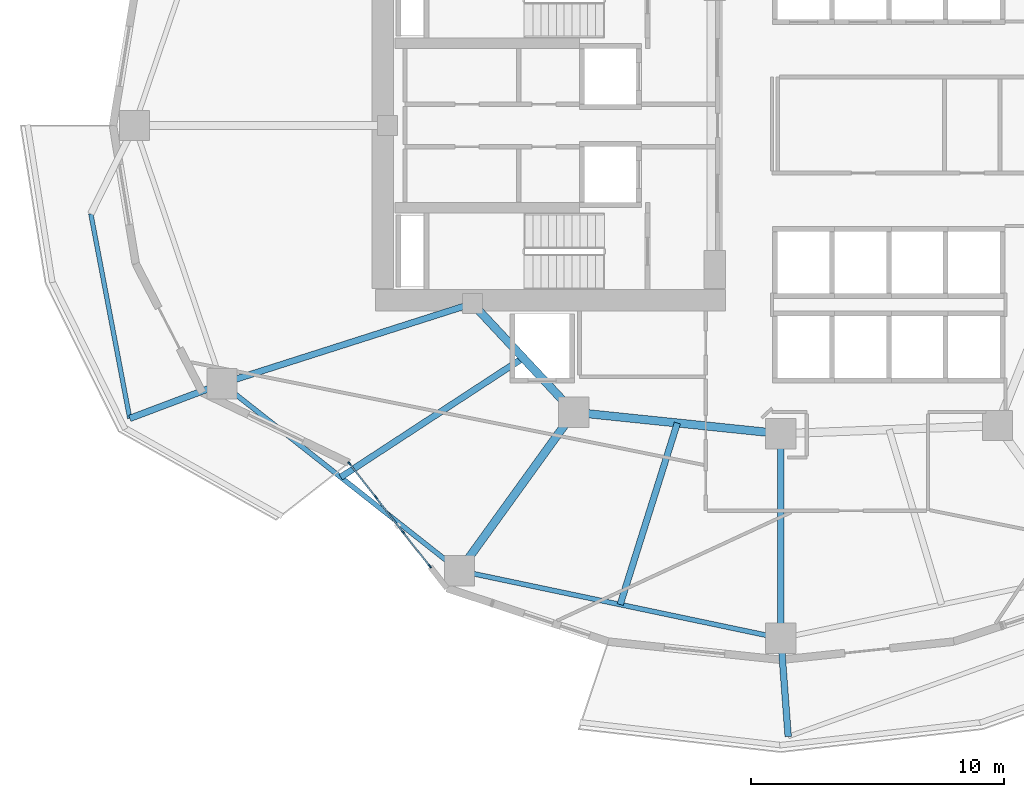
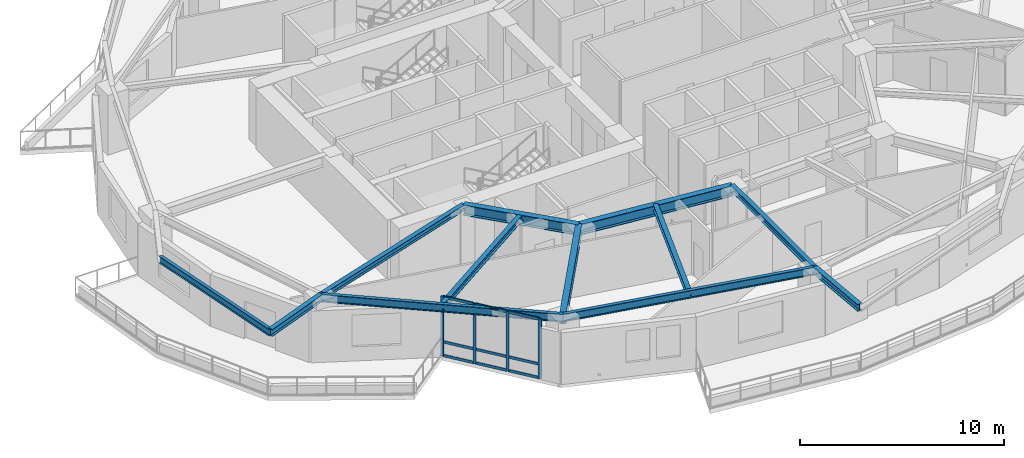
# One storey, part 2 of 18: 13 members, 12 beams, 1 element without a shape of its own.
"""IFC4 building model written with IfcOpenShell, lengths in metres."""

import ifcopenshell
import ifcopenshell.guid

model = None  # the IFC model being written
_history = None  # IfcOwnerHistory: only IFC2X3 demands one
_inside = {}  # id of a spatial element -> (the spatial element, [elements in it])
_under = {}  # id of a project, library or spatial element -> (it, [spatial elements below it])
_declared = {}  # id of a project -> (the project, [libraries it declares])
_typed = {}  # id of a type object -> (the type object, [elements of that type])
_made_of = {}  # id of a material, layer set ... -> (it, [elements and type objects made of it])


def new_model(schema):
    """Start an empty IFC model of exactly this schema.

    Asked for "IFC4X3", IfcOpenShell would pick the latest addendum, in which some entities
    have other attributes; the version numbers below select the first issue.
    IFC2X3 requires an IfcOwnerHistory on every rooted entity: one is made here for all.
    """
    global model, _history
    if schema == "IFC4X3":
        model = ifcopenshell.file(schema_version=(4, 3, 0, 0))
    else:
        model = ifcopenshell.file(schema=schema)
    _inside.clear()
    _under.clear()
    _declared.clear()
    _typed.clear()
    _made_of.clear()
    _history = None
    if model.schema == "IFC2X3":
        org = make("IfcOrganization", Name="unknown")
        user = make(
            "IfcPersonAndOrganization",
            ThePerson=make("IfcPerson", FamilyName="unknown"),
            TheOrganization=org,
        )
        app = make(
            "IfcApplication",
            ApplicationDeveloper=org,
            Version="unknown",
            ApplicationFullName="unknown",
            ApplicationIdentifier="unknown",
        )
        _history = make(
            "IfcOwnerHistory",
            OwningUser=user,
            OwningApplication=app,
            ChangeAction="ADDED",
            CreationDate=0,
        )
    return model


def make(cls, **values):
    """One entity of the class cls with the attributes given. An attribute that is None is left unset."""
    return model.create_entity(
        cls, **{name: value for name, value in values.items() if value is not None}
    )


def rooted(cls, **values):
    """An entity with a GlobalId (a new one), such as an element, a storey or a relation."""
    return make(cls, GlobalId=ifcopenshell.guid.new(), OwnerHistory=_history, **values)


def si_unit(unit_type, name, prefix=None):
    """IfcSIUnit, for example si_unit("LENGTHUNIT", "METRE", prefix="MILLI")."""
    return make("IfcSIUnit", UnitType=unit_type, Prefix=prefix, Name=name)


def assignment(units):
    """IfcUnitAssignment: the units of a project."""
    return None if units is None else make("IfcUnitAssignment", Units=units)


def point(xyz):
    """IfcCartesianPoint."""
    return None if xyz is None else make("IfcCartesianPoint", Coordinates=xyz)


def direction(xyz):
    """IfcDirection."""
    return None if xyz is None else make("IfcDirection", DirectionRatios=xyz)


def frame(location, z_axis=None, x_axis=None):
    """IfcAxis2Placement3D, a coordinate frame: its origin and axes. An axis left out is left unset."""
    return make(
        "IfcAxis2Placement3D",
        Location=point(location),
        Axis=direction(z_axis),
        RefDirection=direction(x_axis),
    )


def frame_2d(location, x_axis=None):
    """IfcAxis2Placement2D, a coordinate frame in the plane: its origin and x axis."""
    return make(
        "IfcAxis2Placement2D", Location=point(location), RefDirection=direction(x_axis)
    )


def origin():
    """The frame at (0, 0, 0) with its axes left unset."""
    return frame((0.0, 0.0, 0.0))


def origin_2d():
    """The frame at (0, 0) in the plane with its x axis left unset."""
    return frame_2d((0.0, 0.0))


def place(relative_to, where):
    """IfcLocalPlacement: puts the frame where relative to a parent placement (None: the world)."""
    return make(
        "IfcLocalPlacement", PlacementRelTo=relative_to, RelativePlacement=where
    )


def context(
    kind, dimensions, precision=None, world=None, true_north=None, identifier=None
):
    """IfcGeometricRepresentationContext, for example the 3D "Model" context."""
    return make(
        "IfcGeometricRepresentationContext",
        ContextIdentifier=identifier,
        ContextType=kind,
        CoordinateSpaceDimension=dimensions,
        Precision=precision,
        WorldCoordinateSystem=world,
        TrueNorth=true_north,
    )


def subcontext(parent, identifier, kind, view, scale=None):
    """IfcGeometricRepresentationSubContext, for example "Body" below "Model"."""
    return make(
        "IfcGeometricRepresentationSubContext",
        ContextIdentifier=identifier,
        ContextType=kind,
        ParentContext=parent,
        TargetScale=scale,
        TargetView=view,
    )


def project(units=None, contexts=None):
    """IfcProject with its units and contexts."""
    return rooted(
        "IfcProject",
        Name="project",
        RepresentationContexts=contexts,
        UnitsInContext=assignment(units),
    )


def spatial(cls, under=None, at=None, **own):
    """A site, building, storey or space (cls), placed at a placement, below another one or the project."""
    s = rooted(cls, ObjectPlacement=at, **own)
    if under is not None:
        _under.setdefault(under.id(), (under, []))[1].append(s)
    return s


def profile(cls, at=None, kind="AREA", **sizes):
    """A parametric profile (cls). Its sizes go by their IFC names, for example OverallWidth=200.0."""
    return make(cls, ProfileType=kind, Position=at, **sizes)


def rectangle(**sizes):
    """IfcRectangleProfileDef."""
    return profile("IfcRectangleProfileDef", **sizes)


def i_section(**sizes):
    """IfcIShapeProfileDef."""
    return profile("IfcIShapeProfileDef", **sizes)


def extrude(swept, where, along, depth):
    """IfcExtrudedAreaSolid: the profile swept, set in the frame where, extruded along a direction by depth."""
    return make(
        "IfcExtrudedAreaSolid",
        SweptArea=swept,
        Position=where,
        ExtrudedDirection=direction(along),
        Depth=depth,
    )


def shape(context_of_items, identifier, shape_type, items):
    """IfcShapeRepresentation: the items that make up one representation, for example the "Body"."""
    return make(
        "IfcShapeRepresentation",
        ContextOfItems=context_of_items,
        RepresentationIdentifier=identifier,
        RepresentationType=shape_type,
        Items=items,
    )


def material(Name=None, Category=None):
    """IfcMaterial."""
    return make("IfcMaterial", Name=Name, Category=Category)


def layer(
    of_material, thickness, ventilated=None, Name=None, Category=None, Priority=None
):
    """IfcMaterialLayer: one layer of a wall or slab, of a material (None: an air gap)."""
    return make(
        "IfcMaterialLayer",
        Material=of_material,
        LayerThickness=thickness,
        IsVentilated=ventilated,
        Name=Name,
        Category=Category,
        Priority=Priority,
    )


def layer_set(layers, Name=None):
    """IfcMaterialLayerSet."""
    return make("IfcMaterialLayerSet", MaterialLayers=layers, LayerSetName=Name)


def material_profile(
    of_material, cross_section, Name=None, Category=None, Priority=None
):
    """IfcMaterialProfile: a cross section and its material."""
    return make(
        "IfcMaterialProfile",
        Name=Name,
        Material=of_material,
        Profile=cross_section,
        Priority=Priority,
        Category=Category,
    )


def profile_set(profiles, Name=None, composite=None):
    """IfcMaterialProfileSet."""
    return make(
        "IfcMaterialProfileSet",
        Name=Name,
        MaterialProfiles=profiles,
        CompositeProfile=composite,
    )


def made_of(thing, what):
    """Note that an element or type object is made of a material, layer set ...; save() writes the relation."""
    if what is not None:
        _made_of.setdefault(what.id(), (what, []))[1].append(thing)
    return thing


def type_object(cls, material=None, **own):
    """A type object (cls), such as IfcWallType, which elements share."""
    return made_of(rooted(cls, **own), material)


def element(
    cls,
    number,
    at=None,
    inside=None,
    cuts=None,
    type_object=None,
    material=None,
    context=None,
    identifier="Body",
    shape_type=None,
    held_by="IfcProductDefinitionShape",
    body=None,
    shapes=None,
    **own,
):
    """One element of the class cls, such as IfcWall. Its Tag is "e" and its number.

    at: its placement. inside: the storey or other place that contains it. cuts: it is an
    opening in that element (IfcRelVoidsElement). A single representation is given by context,
    identifier, shape_type and body (its items); several are given by shapes. held_by: the class
    of the entity that holds the representations. save() writes the other relations.
    """
    e = rooted(cls, Tag="e%d" % number, ObjectPlacement=at, **own)
    if body is not None:
        shapes = [shape(context, identifier, shape_type, body)]
    if shapes is not None:
        e.Representation = make(held_by, Representations=shapes)
    if inside is not None:
        _inside.setdefault(inside.id(), (inside, []))[1].append(e)
    if cuts is not None:
        rooted(
            "IfcRelVoidsElement", RelatingBuildingElement=cuts, RelatedOpeningElement=e
        )
    if type_object is not None:
        _typed.setdefault(type_object.id(), (type_object, []))[1].append(e)
    return made_of(e, material)


def aggregate(whole, parts):
    """IfcRelAggregates: a whole, such as a stair, and the parts it consists of."""
    return rooted("IfcRelAggregates", RelatingObject=whole, RelatedObjects=parts)


def save(model, path):
    """Write the relations noted so far, then the file.

    IfcRelAggregates (storeys below a building ...), IfcRelContainedInSpatialStructure (elements
    in a storey), IfcRelDefinesByType, IfcRelAssociatesMaterial and IfcRelDeclares: one each for
    every whole, place, type object, material and project.
    """
    for whole, parts in _under.values():
        aggregate(whole, parts)
    for where, things in _inside.values():
        rooted(
            "IfcRelContainedInSpatialStructure",
            RelatedElements=things,
            RelatingStructure=where,
        )
    for kind, things in _typed.values():
        rooted("IfcRelDefinesByType", RelatedObjects=things, RelatingType=kind)
    for what, things in _made_of.values():
        rooted("IfcRelAssociatesMaterial", RelatedObjects=things, RelatingMaterial=what)
    for by, libraries in _declared.values():
        rooted("IfcRelDeclares", RelatingContext=by, RelatedDefinitions=libraries)
    model.write(path)


model = new_model("IFC4")

# Units and contexts
model_context = context("Model", 3, precision=1e-05, world=origin(), true_north=direction((0.0, 1.0)))
body_context = subcontext(model_context, "Body", "Model", "MODEL_VIEW")
ifc_project = project(units=[si_unit("LENGTHUNIT", "METRE"), si_unit("AREAUNIT", "SQUARE_METRE"), si_unit("VOLUMEUNIT", "CUBIC_METRE"), si_unit("PLANEANGLEUNIT", "RADIAN"), si_unit("MASSUNIT", "GRAM", prefix="KILO")], contexts=[model_context])

# Site, building, storey
site_placement = place(None, origin())
site = spatial("IfcSite", under=ifc_project, at=site_placement, CompositionType="ELEMENT")
building_placement = place(site_placement, origin())
building = spatial("IfcBuilding", under=site, at=building_placement, Name="Kolvaren Gate Tower and Convention Centre", CompositionType="ELEMENT")
storey_placement = place(building_placement, frame((0.0, 0.0, 61.14990234375)))
storey = spatial("IfcBuildingStorey", under=building, at=storey_placement, Name="L14", CompositionType="ELEMENT", Elevation=61.14990234375)

# Curtain wall, members
ifc_material_1 = material(Name="Anodized Architectural Aluminium Alloy 6063-T6", Category="aluminium")
ifc_layer = layer(ifc_material_1, 0.159912109375)
ifc_layer_set = layer_set([ifc_layer], Name="Anodized Architectural Aluminium Alloy 6063-T6")
curtain_wall_type = type_object("IfcCurtainWallType", Name="CW-OFF-UNIT", PredefinedType="NOTDEFINED", material=ifc_layer_set)
curtain_wall_placement = place(storey_placement, origin())
curtain_wall = element("IfcCurtainWall", 1, at=curtain_wall_placement, inside=storey, type_object=curtain_wall_type, Name="Tower L14 Unitised Curtain Wall CW-OFF-UNIT Bay 15", PredefinedType="NOTDEFINED")
ifc_material_profile_1 = material_profile(ifc_material_1, rectangle(XDim=0.06494140625, YDim=0.159912109375, at=origin_2d()), Name="CW-MEM-MUL-160")
ifc_profile_set_1 = profile_set([ifc_material_profile_1], Name="Anodized Architectural Aluminium Alloy 6063-T6")
member_type_1 = type_object("IfcMemberType", Name="CW-MEM-MUL-160", PredefinedType="MULLION", material=ifc_profile_set_1)
member_1_placement = place(storey_placement, frame((13.046142578125, 13.6142578125, 0.0), z_axis=(0.0, 0.0, 1.0), x_axis=(0.787412382353, 0.616426589398, 0.0)))
member_1 = element("IfcMember", 2, at=member_1_placement, type_object=member_type_1, Name="CW-02 mullion 1", PredefinedType="MULLION", context=body_context, shape_type="SweptSolid", body=[
    extrude(rectangle(XDim=0.06494140625, YDim=0.159912109375, at=origin_2d()), origin(), (0.0, 0.0, 1.0), 3.570068359375),
])
member_2_placement = place(storey_placement, frame((14.098388671875, 12.270263671875, 0.0), z_axis=(0.0, 0.0, 1.0), x_axis=(0.787412382353, 0.616426589398, 0.0)))
member_2 = element("IfcMember", 3, at=member_2_placement, type_object=member_type_1, Name="CW-02 mullion 2", PredefinedType="MULLION", context=body_context, shape_type="SweptSolid", body=[
    extrude(rectangle(XDim=0.06494140625, YDim=0.159912109375, at=origin_2d()), origin(), (0.0, 0.0, 1.0), 3.570068359375),
])
member_3_placement = place(storey_placement, frame((15.17041015625, 10.90087890625, 0.0), z_axis=(0.0, 0.0, 1.0), x_axis=(0.787412382353, 0.616426589398, 0.0)))
member_3 = element("IfcMember", 4, at=member_3_placement, type_object=member_type_1, Name="CW-02 mullion 3", PredefinedType="MULLION", context=body_context, shape_type="SweptSolid", body=[
    extrude(rectangle(XDim=0.06494140625, YDim=0.159912109375, at=origin_2d()), origin(), (0.0, 0.0, 1.0), 3.570068359375),
])
member_4_placement = place(storey_placement, frame((16.22265625, 9.556884765625, 0.0), z_axis=(0.0, 0.0, 1.0), x_axis=(0.787412382353, 0.616426589398, 0.0)))
member_4 = element("IfcMember", 5, at=member_4_placement, type_object=member_type_1, Name="CW-02 mullion 4", PredefinedType="MULLION", context=body_context, shape_type="SweptSolid", body=[
    extrude(rectangle(XDim=0.06494140625, YDim=0.159912109375, at=origin_2d()), origin(), (0.0, 0.0, 1.0), 3.570068359375),
])
ifc_material_profile_2 = material_profile(ifc_material_1, rectangle(XDim=0.06494140625, YDim=0.159912109375, at=origin_2d()), Name="CW-MEM-TRN-160")
ifc_profile_set_2 = profile_set([ifc_material_profile_2], Name="Anodized Architectural Aluminium Alloy 6063-T6")
member_type_2 = type_object("IfcMemberType", Name="CW-MEM-TRN-160", PredefinedType="USERDEFINED", material=ifc_profile_set_2)
member_5_placement = place(storey_placement, frame((13.066162109375, 13.588623046875, 0.03271484375), z_axis=(0.616408501706, -0.787426541986, 0.0), x_axis=(0.787426541986, 0.616408501706, 0.0)))
member_5 = element("IfcMember", 6, at=member_5_placement, type_object=member_type_2, Name="CW-02 transom 1.1", ObjectType="TRANSOM", PredefinedType="USERDEFINED", context=body_context, shape_type="SweptSolid", body=[
    extrude(rectangle(XDim=0.06494140625, YDim=0.159912109375, at=origin_2d()), origin(), (0.0, 0.0, 1.0), 1.6416015625),
])
member_6_placement = place(storey_placement, frame((13.066162109375, 13.588623046875, 0.85009765625), z_axis=(0.616408501706, -0.787426541986, 0.0), x_axis=(0.787426541986, 0.616408501706, 0.0)))
member_6 = element("IfcMember", 7, at=member_6_placement, type_object=member_type_2, Name="CW-02 transom 1.2", ObjectType="TRANSOM", PredefinedType="USERDEFINED", context=body_context, shape_type="SweptSolid", body=[
    extrude(rectangle(XDim=0.06494140625, YDim=0.159912109375, at=origin_2d()), origin(), (0.0, 0.0, 1.0), 1.6416015625),
])
member_7_placement = place(storey_placement, frame((13.066162109375, 13.588623046875, 3.53759765625), z_axis=(0.616408501706, -0.787426541986, 0.0), x_axis=(0.787426541986, 0.616408501706, 0.0)))
member_7 = element("IfcMember", 8, at=member_7_placement, type_object=member_type_2, Name="CW-02 transom 1.3", ObjectType="TRANSOM", PredefinedType="USERDEFINED", context=body_context, shape_type="SweptSolid", body=[
    extrude(rectangle(XDim=0.06494140625, YDim=0.159912109375, at=origin_2d()), origin(), (0.0, 0.0, 1.0), 1.6416015625),
])
member_8_placement = place(storey_placement, frame((14.118408203125, 12.24462890625, 0.03271484375), z_axis=(0.61639082822, -0.787440376718, 0.0), x_axis=(0.787440376718, 0.61639082822, 0.0)))
member_8 = element("IfcMember", 9, at=member_8_placement, type_object=member_type_2, Name="CW-02 transom 2.1", ObjectType="TRANSOM", PredefinedType="USERDEFINED", context=body_context, shape_type="SweptSolid", body=[
    extrude(rectangle(XDim=0.06494140625, YDim=0.159912109375, at=origin_2d()), origin(), (0.0, 0.0, 1.0), 1.67431640625),
])
member_9_placement = place(storey_placement, frame((14.118408203125, 12.24462890625, 0.85009765625), z_axis=(0.61639082822, -0.787440376718, 0.0), x_axis=(0.787440376718, 0.61639082822, 0.0)))
member_9 = element("IfcMember", 10, at=member_9_placement, type_object=member_type_2, Name="CW-02 transom 2.2", ObjectType="TRANSOM", PredefinedType="USERDEFINED", context=body_context, shape_type="SweptSolid", body=[
    extrude(rectangle(XDim=0.06494140625, YDim=0.159912109375, at=origin_2d()), origin(), (0.0, 0.0, 1.0), 1.67431640625),
])
member_10_placement = place(storey_placement, frame((14.118408203125, 12.24462890625, 3.53759765625), z_axis=(0.61639082822, -0.787440376718, 0.0), x_axis=(0.787440376718, 0.61639082822, 0.0)))
member_10 = element("IfcMember", 11, at=member_10_placement, type_object=member_type_2, Name="CW-02 transom 2.3", ObjectType="TRANSOM", PredefinedType="USERDEFINED", context=body_context, shape_type="SweptSolid", body=[
    extrude(rectangle(XDim=0.06494140625, YDim=0.159912109375, at=origin_2d()), origin(), (0.0, 0.0, 1.0), 1.67431640625),
])
member_11_placement = place(storey_placement, frame((15.1904296875, 10.875244140625, 0.03271484375), z_axis=(0.616428523412, -0.787410868304, 0.0), x_axis=(0.787410868304, 0.616428523412, 0.0)))
member_11 = element("IfcMember", 12, at=member_11_placement, type_object=member_type_2, Name="CW-02 transom 3.1", ObjectType="TRANSOM", PredefinedType="USERDEFINED", context=body_context, shape_type="SweptSolid", body=[
    extrude(rectangle(XDim=0.06494140625, YDim=0.159912109375, at=origin_2d()), origin(), (0.0, 0.0, 1.0), 1.64208984375),
])
member_12_placement = place(storey_placement, frame((15.1904296875, 10.875244140625, 0.85009765625), z_axis=(0.616428523412, -0.787410868304, 0.0), x_axis=(0.787410868304, 0.616428523412, 0.0)))
member_12 = element("IfcMember", 13, at=member_12_placement, type_object=member_type_2, Name="CW-02 transom 3.2", ObjectType="TRANSOM", PredefinedType="USERDEFINED", context=body_context, shape_type="SweptSolid", body=[
    extrude(rectangle(XDim=0.06494140625, YDim=0.159912109375, at=origin_2d()), origin(), (0.0, 0.0, 1.0), 1.64208984375),
])
member_13_placement = place(storey_placement, frame((15.1904296875, 10.875244140625, 3.53759765625), z_axis=(0.616428523412, -0.787410868304, 0.0), x_axis=(0.787410868304, 0.616428523412, 0.0)))
member_13 = element("IfcMember", 14, at=member_13_placement, type_object=member_type_2, Name="CW-02 transom 3.3", ObjectType="TRANSOM", PredefinedType="USERDEFINED", context=body_context, shape_type="SweptSolid", body=[
    extrude(rectangle(XDim=0.06494140625, YDim=0.159912109375, at=origin_2d()), origin(), (0.0, 0.0, 1.0), 1.64208984375),
])
aggregate(curtain_wall, [member_1, member_2, member_3, member_4, member_5, member_6, member_7, member_8, member_9, member_10, member_11, member_12, member_13])

# Beams
ifc_material_2 = material(Name="Structural steel ASTM A992 Grade 345 MPa", Category="steel")
ifc_material_profile_3 = material_profile(ifc_material_2, i_section(OverallWidth=0.260009765625, OverallDepth=0.419921875, WebThickness=0.013427734375, FlangeThickness=0.0224609375, at=origin_2d()), Name="W410X132")
ifc_profile_set_3 = profile_set([ifc_material_profile_3], Name="Structural steel ASTM A992 Grade 345 MPa")
beam_type_1 = type_object("IfcBeamType", Name="STR-BM-W410X132", PredefinedType="BEAM", material=ifc_profile_set_3)
beam_1_placement = place(storey_placement, frame((8.001220703125, 16.781494140625, 3.360595703125), z_axis=(-0.935601718951, -0.353057252434, 0.0), x_axis=(0.353057252434, -0.935601718951, 0.0)))
element("IfcBeam", 15, at=beam_1_placement, inside=storey, type_object=beam_type_1, Name="Tower L15 Planted Balcony Outrigger Cantilever BC-2B", PredefinedType="BEAM", context=body_context, shape_type="SweptSolid", body=[
    extrude(i_section(OverallWidth=0.260009765625, OverallDepth=0.419921875, WebThickness=0.013427734375, FlangeThickness=0.0224609375, at=origin_2d()), origin(), (0.0, 0.0, 1.0), 3.900146484375),
])
beam_2_placement = place(storey_placement, frame((30.125, 6.699951171875, 3.360595703125), z_axis=(0.074182982185, -0.997244646591, 0.0), x_axis=(0.997244646591, 0.074182982185, 0.0)))
element("IfcBeam", 16, at=beam_2_placement, inside=storey, type_object=beam_type_1, Name="Tower L15 Planted Balcony Outrigger Cantilever BC-3A", PredefinedType="BEAM", context=body_context, shape_type="SweptSolid", body=[
    extrude(i_section(OverallWidth=0.260009765625, OverallDepth=0.419921875, WebThickness=0.013427734375, FlangeThickness=0.0224609375, at=origin_2d()), origin(), (0.0, 0.0, 1.0), 3.89990234375),
])
ifc_material_profile_4 = material_profile(ifc_material_2, i_section(OverallWidth=0.327880859375, OverallDepth=0.6279296875, WebThickness=0.0166015625, FlangeThickness=0.027587890625, at=origin_2d()), Name="W610X217")
ifc_profile_set_4 = profile_set([ifc_material_profile_4], Name="Structural steel ASTM A992 Grade 345 MPa")
beam_type_2 = type_object("IfcBeamType", Name="STR-BM-W610X217", PredefinedType="BEAM", material=ifc_profile_set_4)
beam_3_placement = place(storey_placement, frame((17.9140625, 19.949951171875, 3.256103515625), z_axis=(0.682557592987, -0.730831808459, 0.0), x_axis=(0.730831808459, 0.682557592987, 0.0)))
element("IfcBeam", 17, at=beam_3_placement, inside=storey, type_object=beam_type_2, Name="Tower L14 Primary Ring Girder G-06", PredefinedType="BEAM", context=body_context, shape_type="SweptSolid", body=[
    extrude(i_section(OverallWidth=0.327880859375, OverallDepth=0.6279296875, WebThickness=0.0166015625, FlangeThickness=0.027587890625, at=origin_2d()), origin(), (0.0, 0.0, 1.0), 5.88671875),
])
beam_4_placement = place(storey_placement, frame((21.93212890625, 15.647705078125, 3.256103515625), z_axis=(0.994690329115, -0.102913308978, 0.0), x_axis=(0.102913308978, 0.994690329115, 0.0)))
element("IfcBeam", 18, at=beam_4_placement, inside=storey, type_object=beam_type_2, Name="Tower L14 Primary Ring Girder G-07", PredefinedType="BEAM", context=body_context, shape_type="SweptSolid", body=[
    extrude(i_section(OverallWidth=0.327880859375, OverallDepth=0.6279296875, WebThickness=0.0166015625, FlangeThickness=0.027587890625, at=origin_2d()), origin(), (0.0, 0.0, 1.0), 8.236572265625),
])
beam_5_placement = place(storey_placement, frame((21.93212890625, 15.647705078125, 3.256103515625), z_axis=(-0.585209453994, -0.810882170821, 0.0), x_axis=(0.810882170821, -0.585209453994, 0.0)))
element("IfcBeam", 19, at=beam_5_placement, inside=storey, type_object=beam_type_2, Name="Tower L14 Radial Floor Girder RB-09", PredefinedType="BEAM", context=body_context, shape_type="SweptSolid", body=[
    extrude(i_section(OverallWidth=0.327880859375, OverallDepth=0.6279296875, WebThickness=0.0166015625, FlangeThickness=0.027587890625, at=origin_2d()), origin(), (0.0, 0.0, 1.0), 7.73828125),
])
ifc_material_profile_5 = material_profile(ifc_material_2, i_section(OverallWidth=0.2548828125, OverallDepth=0.35693359375, WebThickness=0.010498046875, FlangeThickness=0.018310546875, at=origin_2d()), Name="W360X101")
ifc_profile_set_5 = profile_set([ifc_material_profile_5], Name="Structural steel ASTM A992 Grade 345 MPa")
beam_type_3 = type_object("IfcBeamType", Name="STR-JS-W360X101", PredefinedType="JOIST", material=ifc_profile_set_5)
beam_6_placement = place(storey_placement, frame((17.9140625, 19.949951171875, 3.3916015625), z_axis=(-0.952525967456, -0.304457355507, 0.0), x_axis=(0.304457355507, -0.952525967456, 0.0)))
element("IfcBeam", 20, at=beam_6_placement, inside=storey, type_object=beam_type_3, Name="Tower L14 Radial Floor Girder RB-08", PredefinedType="JOIST", context=body_context, shape_type="SweptSolid", body=[
    extrude(i_section(OverallWidth=0.2548828125, OverallDepth=0.35693359375, WebThickness=0.010498046875, FlangeThickness=0.018310546875, at=origin_2d()), origin(), (0.0, 0.0, 1.0), 10.406982421875),
])
beam_7_placement = place(storey_placement, frame((30.125, 14.800048828125, 3.3916015625), z_axis=(0.0, -1.0, 0.0), x_axis=(1.0, 0.0, 0.0)))
element("IfcBeam", 21, at=beam_7_placement, inside=storey, type_object=beam_type_3, Name="Tower L14 Radial Floor Girder RB-10", PredefinedType="JOIST", context=body_context, shape_type="SweptSolid", body=[
    extrude(i_section(OverallWidth=0.2548828125, OverallDepth=0.35693359375, WebThickness=0.010498046875, FlangeThickness=0.018310546875, at=origin_2d()), origin(), (0.0, 0.0, 1.0), 8.10009765625),
])
beam_8_placement = place(storey_placement, frame((19.923095703125, 17.798828125, 3.3916015625), z_axis=(-0.836945684387, -0.547285959428, 0.0), x_axis=(0.547285959428, -0.836945684387, 0.0)))
element("IfcBeam", 22, at=beam_8_placement, inside=storey, type_object=beam_type_3, Name="Tower L14 Secondary Composite Floor Joist J-08.1", PredefinedType="JOIST", context=body_context, shape_type="SweptSolid", body=[
    extrude(i_section(OverallWidth=0.2548828125, OverallDepth=0.35693359375, WebThickness=0.010498046875, FlangeThickness=0.018310546875, at=origin_2d()), origin(), (0.0, 0.0, 1.0), 8.62744140625),
])
beam_9_placement = place(storey_placement, frame((26.028564453125, 15.223876953125, 3.3916015625), z_axis=(-0.300467647472, -0.953792007108, 0.0), x_axis=(0.953792007108, -0.300467647472, 0.0)))
element("IfcBeam", 23, at=beam_9_placement, inside=storey, type_object=beam_type_3, Name="Tower L14 Secondary Composite Floor Joist J-09.1", PredefinedType="JOIST", context=body_context, shape_type="SweptSolid", body=[
    extrude(i_section(OverallWidth=0.2548828125, OverallDepth=0.35693359375, WebThickness=0.010498046875, FlangeThickness=0.018310546875, at=origin_2d()), origin(), (0.0, 0.0, 1.0), 7.535400390625),
])
ifc_material_profile_6 = material_profile(ifc_material_2, i_section(OverallWidth=0.180908203125, OverallDepth=0.4169921875, WebThickness=0.010986328125, FlangeThickness=0.018310546875, at=origin_2d()), Name="W410X85")
ifc_profile_set_6 = profile_set([ifc_material_profile_6], Name="Structural steel ASTM A992 Grade 345 MPa")
beam_type_4 = type_object("IfcBeamType", Name="STR-SP-W410X85", PredefinedType="SPANDREL", material=ifc_profile_set_6)
beam_10_placement = place(storey_placement, frame((2.810791015625, 23.503173828125, 3.362060546875), z_axis=(0.186984188423, -0.982362923404, 0.0), x_axis=(0.982362923404, 0.186984188423, 0.0)))
element("IfcBeam", 24, at=beam_10_placement, inside=storey, type_object=beam_type_4, Name="Tower L15 Planted Balcony Header Tie Beam BT-2", PredefinedType="SPANDREL", context=body_context, shape_type="SweptSolid", body=[
    extrude(i_section(OverallWidth=0.180908203125, OverallDepth=0.4169921875, WebThickness=0.010986328125, FlangeThickness=0.018310546875, at=origin_2d()), origin(), (0.0, 0.0, 1.0), 8.244140625),
])
ifc_material_profile_7 = material_profile(ifc_material_2, i_section(OverallWidth=0.194091796875, OverallDepth=0.468994140625, WebThickness=0.0126953125, FlangeThickness=0.0205078125, at=origin_2d()), Name="W460X106")
ifc_profile_set_7 = profile_set([ifc_material_profile_7], Name="Structural steel ASTM A992 Grade 345 MPa")
beam_type_5 = type_object("IfcBeamType", Name="STR-SP-W460X106", PredefinedType="SPANDREL", material=ifc_profile_set_7)
beam_11_placement = place(storey_placement, frame((8.001220703125, 16.781494140625, 3.335693359375), z_axis=(0.785459824636, -0.618912646407, 0.0), x_axis=(0.618912646407, 0.785459824636, 0.0)))
element("IfcBeam", 25, at=beam_11_placement, inside=storey, type_object=beam_type_5, Name="Tower L14 Perimeter Spandrel Beam SP-08", PredefinedType="SPANDREL", context=body_context, shape_type="SweptSolid", body=[
    extrude(i_section(OverallWidth=0.194091796875, OverallDepth=0.468994140625, WebThickness=0.0126953125, FlangeThickness=0.0205078125, at=origin_2d()), origin(), (0.0, 0.0, 1.0), 11.970458984375),
])
beam_12_placement = place(storey_placement, frame((17.403564453125, 9.372802734375, 3.335693359375), z_axis=(0.978632602148, -0.205616706552, 0.0), x_axis=(0.205616706552, 0.978632602148, 0.0)))
element("IfcBeam", 26, at=beam_12_placement, inside=storey, type_object=beam_type_5, Name="Tower L14 Perimeter Spandrel Beam SP-09", PredefinedType="SPANDREL", context=body_context, shape_type="SweptSolid", body=[
    extrude(i_section(OverallWidth=0.194091796875, OverallDepth=0.468994140625, WebThickness=0.0126953125, FlangeThickness=0.0205078125, at=origin_2d()), origin(), (0.0, 0.0, 1.0), 12.999267578125),
])

save(model, "model.ifc")
